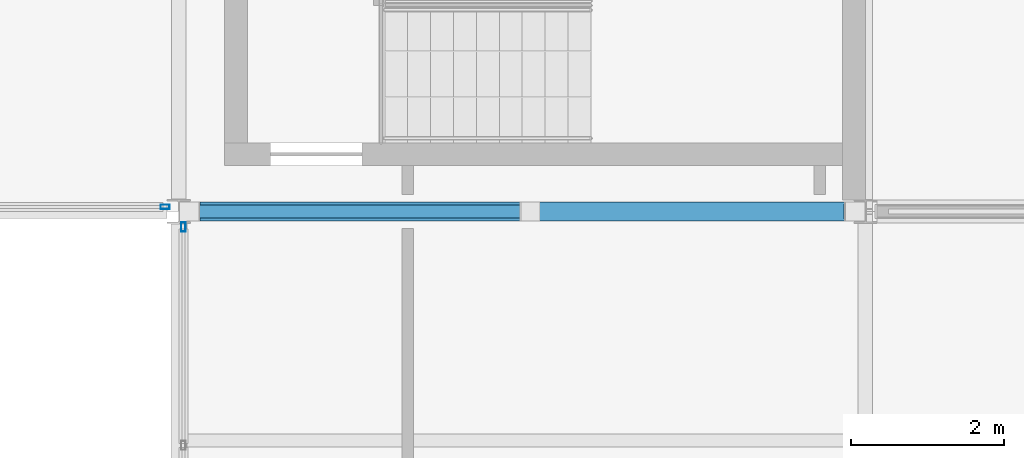
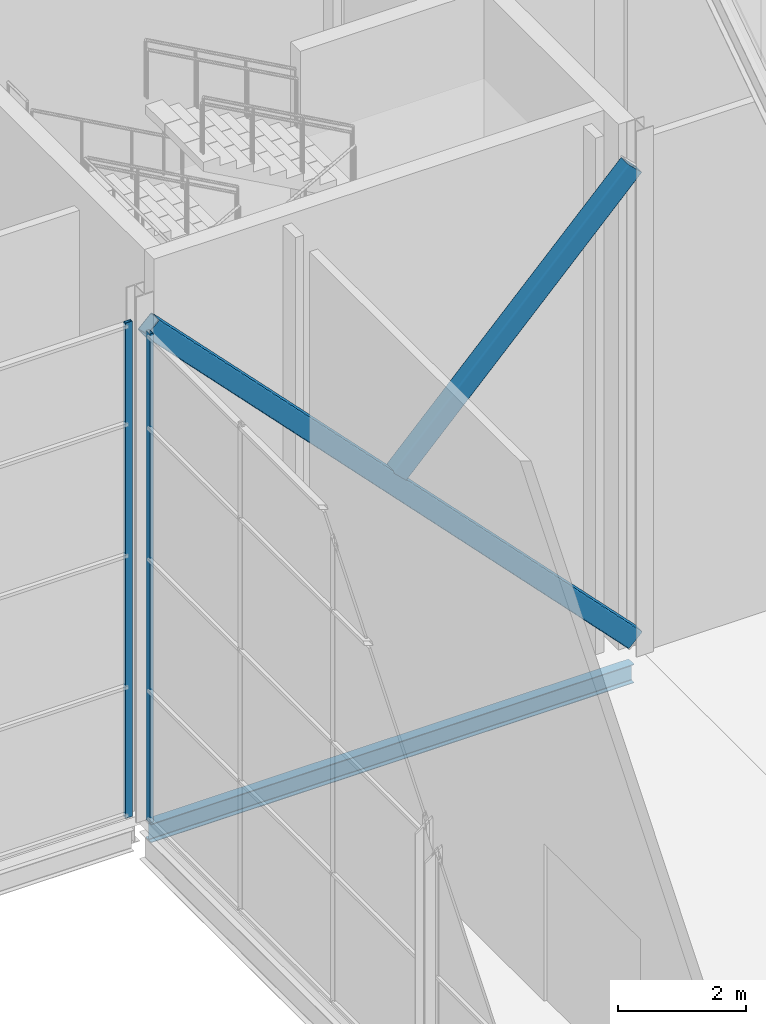
# One storey, part 66 of 111: 4 members, 1 beam, 2 elements without a shape of their own.
"""IFC4 building model written with IfcOpenShell, lengths in metres."""

from ifc_helpers import new_model, si_unit, direction, frame, origin, origin_2d, place, context, subcontext, project, spatial, hollow_rectangle, i_section, extrude, material, layer, layer_set, material_profile, profile_set, type_object, element, aggregate, save


model = new_model("IFC4")

# Units and contexts
model_context = context("Model", 3, precision=1e-05, world=origin(), true_north=direction((0.0, 1.0)))
body_context = subcontext(model_context, "Body", "Model", "MODEL_VIEW")
ifc_project = project(units=[si_unit("LENGTHUNIT", "METRE"), si_unit("AREAUNIT", "SQUARE_METRE"), si_unit("VOLUMEUNIT", "CUBIC_METRE"), si_unit("PLANEANGLEUNIT", "RADIAN"), si_unit("MASSUNIT", "GRAM", prefix="KILO")], contexts=[model_context])

# Site, building, storey
site_placement = place(None, origin())
site = spatial("IfcSite", under=ifc_project, at=site_placement, CompositionType="ELEMENT")
building_placement = place(site_placement, origin())
building = spatial("IfcBuilding", under=site, at=building_placement, Name="Shorebreak Coast Museum", CompositionType="ELEMENT")
storey_placement = place(building_placement, frame((0.0, 0.0, 16.0)))
storey = spatial("IfcBuildingStorey", under=building, at=storey_placement, Name="L03", CompositionType="ELEMENT", Elevation=16.0)

# Beam
ifc_material_1 = material(Name="Steel Grade 300", Category="steel")
ifc_material_profile_1 = material_profile(ifc_material_1, i_section(OverallWidth=0.1708984375, OverallDepth=0.355712890625, WebThickness=0.00732421875, FlangeThickness=0.011474609375, FilletRadius=0.011474609375, at=origin_2d()), Name="360UB50.7")
ifc_profile_set_1 = profile_set([ifc_material_profile_1], Name="Steel Grade 300")
beam_type = type_object("IfcBeamType", Name="Floor girder east-west 360UB50.7", PredefinedType="BEAM", material=ifc_profile_set_1)
beam_placement = place(storey_placement, frame((108.155517578125, 81.0, -0.352783203125), z_axis=(1.0, 0.0, 0.0), x_axis=(0.0, 1.0, 0.0)))
element("IfcBeam", 1, at=beam_placement, inside=storey, type_object=beam_type, Name="Floor girder east-west L03 13K", PredefinedType="BEAM", context=body_context, shape_type="SweptSolid", body=[
    extrude(i_section(OverallWidth=0.1708984375, OverallDepth=0.355712890625, WebThickness=0.00732421875, FlangeThickness=0.011474609375, FilletRadius=0.011474609375, at=origin_2d()), origin(), (0.0, 0.0, 1.0), 8.69091796875),
])

# Curtain wall, member
ifc_material_2 = material(Name="Aluminium", Category="aluminium")
ifc_layer = layer(ifc_material_2, 0.1201171875)
ifc_layer_set = layer_set([ifc_layer], Name="Aluminium")
curtain_wall_type = type_object("IfcCurtainWallType", Name="Atrium fire screen", PredefinedType="NOTDEFINED", material=ifc_layer_set)
curtain_wall_1_placement = place(storey_placement, origin())
curtain_wall_1 = element("IfcCurtainWall", 2, at=curtain_wall_1_placement, inside=storey, type_object=curtain_wall_type, Name="Atrium screen L03 N 44", PredefinedType="NOTDEFINED")
ifc_material_3 = material(Name="Aluminium", Category="aluminium")
ifc_material_profile_2 = material_profile(ifc_material_3, hollow_rectangle(XDim=0.06005859375, YDim=0.1201171875, WallThickness=0.00341796875, at=origin_2d()), Name="AL 120x60 RHS")
ifc_profile_set_2 = profile_set([ifc_material_profile_2], Name="Aluminium")
member_type_1 = type_object("IfcMemberType", Name="Screen mullion 50 x 120", PredefinedType="MULLION", material=ifc_profile_set_2)
member_1_placement = place(storey_placement, frame((107.820556640625, 81.06005859375, 0.0), z_axis=(0.0, 0.0, 1.0), x_axis=(0.0, 1.0, 0.0)))
member_1 = element("IfcMember", 3, at=member_1_placement, type_object=member_type_1, Name="CW6 mullion 4", PredefinedType="MULLION", context=body_context, shape_type="SweptSolid", body=[
    extrude(hollow_rectangle(XDim=0.06005859375, YDim=0.1201171875, WallThickness=0.00341796875, at=origin_2d()), origin(), (0.0, 0.0, 1.0), 9.42236328125),
])
aggregate(curtain_wall_1, [member_1])

curtain_wall_2_placement = place(storey_placement, origin())
curtain_wall_2 = element("IfcCurtainWall", 4, at=curtain_wall_2_placement, inside=storey, type_object=curtain_wall_type, Name="Atrium screen L03 E 48", PredefinedType="NOTDEFINED")
member_2_placement = place(storey_placement, frame((108.06005859375, 80.796630859375, 0.0), z_axis=(0.0, 0.0, 1.0), x_axis=(-1.0, 0.0, 0.0)))
member_2 = element("IfcMember", 5, at=member_2_placement, type_object=member_type_1, Name="CW4 mullion 4", PredefinedType="MULLION", context=body_context, shape_type="SweptSolid", body=[
    extrude(hollow_rectangle(XDim=0.06005859375, YDim=0.1201171875, WallThickness=0.00341796875, at=origin_2d()), origin(), (0.0, 0.0, 1.0), 9.296875),
])
aggregate(curtain_wall_2, [member_2])

# Members
ifc_material_4 = material(Name="Steel Grade C450L0", Category="steel")
ifc_material_profile_3 = material_profile(ifc_material_4, hollow_rectangle(XDim=0.25, YDim=0.35009765625, WallThickness=0.012451171875, InnerFilletRadius=0.018798828125, OuterFilletRadius=0.03125, at=origin_2d()), Name="350x250x12.5 RHS")
ifc_profile_set_3 = profile_set([ifc_material_profile_3], Name="Steel Grade C450L0")
member_type_2 = type_object("IfcMemberType", Name="X-brace 350x250x12.5 RHS", PredefinedType="BRACE", material=ifc_profile_set_3)
member_3_placement = place(storey_placement, frame((112.60888671875, 81.0, 4.89892578125), z_axis=(0.695735777811, 0.0, 0.7182977986), x_axis=(0.0, 1.0, 0.0)))
element("IfcMember", 6, at=member_3_placement, inside=storey, type_object=member_type_2, Name="X-brace bay 04 L03 diagonal 1", PredefinedType="BRACE", context=body_context, shape_type="SweptSolid", body=[
    extrude(hollow_rectangle(XDim=0.25, YDim=0.35009765625, WallThickness=0.012451171875, InnerFilletRadius=0.018798828125, OuterFilletRadius=0.03125, at=origin_2d()), origin(), (0.0, 0.0, 1.0), 6.092041015625),
])
member_4_placement = place(storey_placement, frame((116.847412109375, 81.0, 0.300048828125), z_axis=(-0.695732528461, 0.0, 0.718300945873), x_axis=(0.0, -1.0, 0.0)))
element("IfcMember", 7, at=member_4_placement, inside=storey, type_object=member_type_2, Name="X-brace bay 04 L03 diagonal 2", PredefinedType="BRACE", context=body_context, shape_type="SweptSolid", body=[
    extrude(hollow_rectangle(XDim=0.25, YDim=0.35009765625, WallThickness=0.012451171875, InnerFilletRadius=0.018798828125, OuterFilletRadius=0.03125, at=origin_2d()), origin(), (0.0, 0.0, 1.0), 12.49462890625),
])

save(model, "model.ifc")
